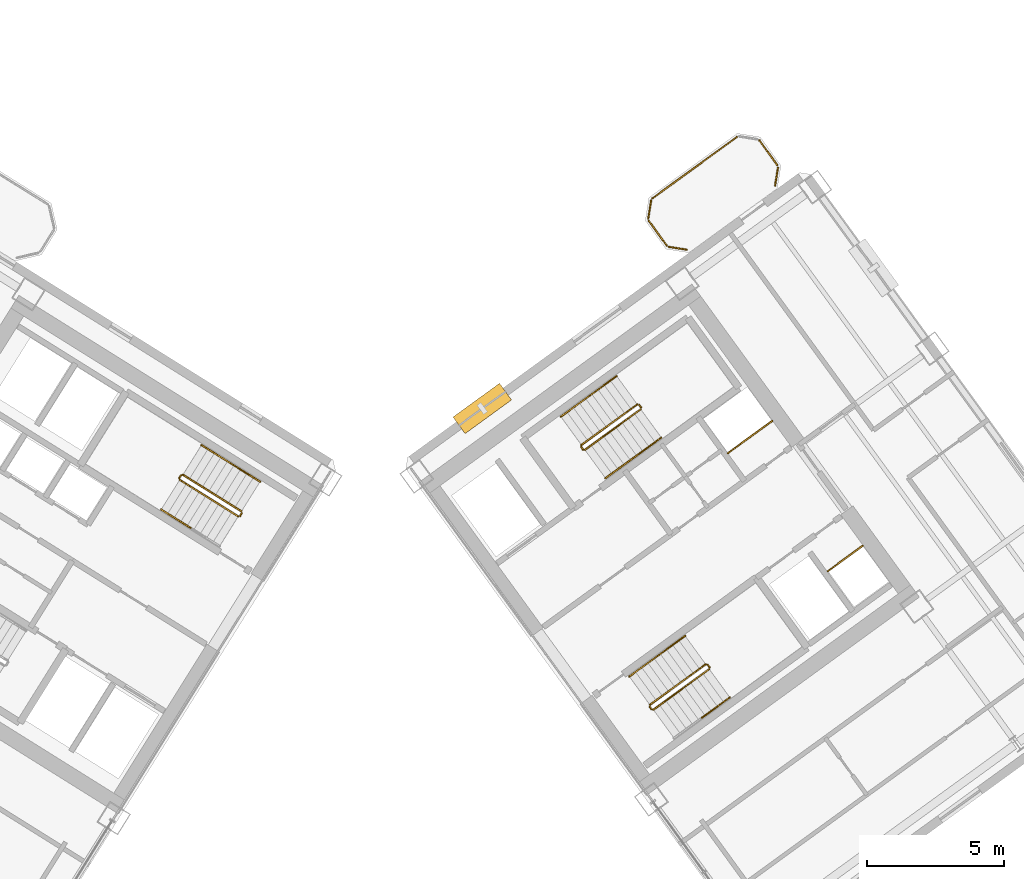
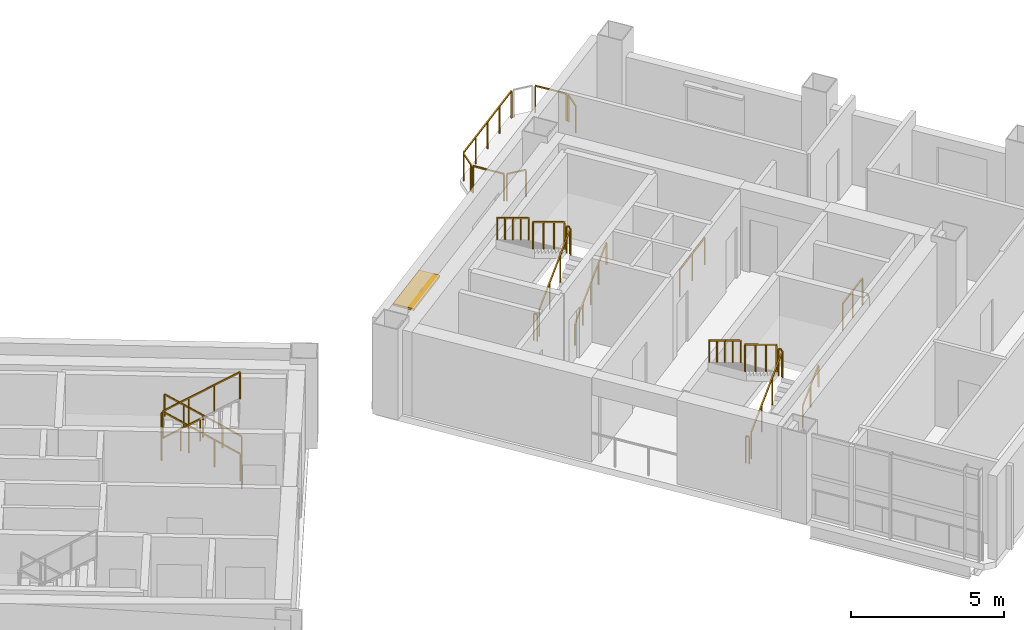
# One storey, part 18 of 19: 30 railings, 1 shading device.
"""IFC4 building model written with IfcOpenShell, lengths in metres."""

from ifc_helpers import new_model, si_unit, direction, frame, origin, origin_2d, place, context, subcontext, project, spatial, rectangle, extrude, source, transform, mapped, material, layer, layer_set, type_object, element, save


model = new_model("IFC4")

# Units and contexts
model_context = context("Model", 3, precision=1e-05, world=origin(), true_north=direction((0.0, 1.0)))
body_context = subcontext(model_context, "Body", "Model", "MODEL_VIEW")
ifc_project = project(units=[si_unit("LENGTHUNIT", "METRE"), si_unit("AREAUNIT", "SQUARE_METRE"), si_unit("VOLUMEUNIT", "CUBIC_METRE"), si_unit("PLANEANGLEUNIT", "RADIAN"), si_unit("MASSUNIT", "GRAM", prefix="KILO")], contexts=[model_context])

# Site, building, storey
site_placement = place(None, origin())
site = spatial("IfcSite", under=ifc_project, at=site_placement, CompositionType="ELEMENT")
building_placement = place(site_placement, origin())
building = spatial("IfcBuilding", under=site, at=building_placement, Name="Tlacorven Tower", CompositionType="ELEMENT")
storey_placement = place(building_placement, frame((0.0, 0.0, 147.89990234375)))
storey = spatial("IfcBuildingStorey", under=building, at=storey_placement, Name="L37", CompositionType="ELEMENT", Elevation=147.89990234375)

# Railings
ifc_material_1 = material(Name="Aluminium and painted steel balustrade", Category="steel")
railing_type_1 = type_object("IfcRailingType", Name="RL-GRD-1100", PredefinedType="GUARDRAIL", material=ifc_material_1)
shared_shape_1 = source(origin(), body_context, "Body", "SweptSolid", [
    extrude(rectangle(XDim=0.048095703125, YDim=0.048095703125, at=origin_2d()), frame((0.0, 0.0, 1.076171875), z_axis=(0.808947177504, 0.587881334972, 0.0), x_axis=(-0.587881334972, 0.808947177504, 0.0)), (0.0, 0.0, 1.0), 2.0),
    extrude(rectangle(XDim=0.0419921875, YDim=0.0419921875, at=origin_2d()), origin(), (0.0, 0.0, 1.0), 1.052001953125),
    extrude(rectangle(XDim=0.0419921875, YDim=0.0419921875, at=origin_2d()), frame((0.80908203125, 0.587890625, 0.0)), (0.0, 0.0, 1.0), 1.052001953125),
    extrude(rectangle(XDim=0.0419921875, YDim=0.0419921875, at=origin_2d()), frame((1.617919921875, 1.17578125, 0.0)), (0.0, 0.0, 1.0), 1.052001953125),
])
railing_1_placement = place(storey_placement, frame((55.506103515625, 25.438232421875, 0.0)))
element("IfcRailing", 1, at=railing_1_placement, inside=storey, type_object=railing_type_1, Name="L37 Electrical Riser E Shaft Guard 1", PredefinedType="GUARDRAIL", context=body_context, shape_type="MappedRepresentation", body=[
    mapped(shared_shape_1, transform((0.0, 0.0, 0.0), scale=1.0)),
])
shared_shape_2 = source(origin(), body_context, "Body", "SweptSolid", [
    extrude(rectangle(XDim=0.048095703125, YDim=0.048095703125, at=origin_2d()), frame((0.0, 0.0, 1.076171875), z_axis=(0.809029975545, 0.58776738483, 0.0), x_axis=(-0.58776738483, 0.809029975545, 0.0)), (0.0, 0.0, 1.0), 1.580078125),
    extrude(rectangle(XDim=0.0419921875, YDim=0.0419921875, at=origin_2d()), origin(), (0.0, 0.0, 1.0), 1.052001953125),
    extrude(rectangle(XDim=0.0419921875, YDim=0.0419921875, at=origin_2d()), frame((0.63916015625, 0.46435546875, 0.0)), (0.0, 0.0, 1.0), 1.052001953125),
    extrude(rectangle(XDim=0.0419921875, YDim=0.0419921875, at=origin_2d()), frame((1.2783203125, 0.9287109375, 0.0)), (0.0, 0.0, 1.0), 1.052001953125),
])
railing_2_placement = place(storey_placement, frame((59.160888671875, 21.122314453125, 0.0)))
element("IfcRailing", 2, at=railing_2_placement, inside=storey, type_object=railing_type_1, Name="L37 Smoke Riser E Shaft Guard 1", PredefinedType="GUARDRAIL", context=body_context, shape_type="MappedRepresentation", body=[
    mapped(shared_shape_2, transform((0.0, 0.0, 0.0), scale=1.0)),
])
railing_type_2 = type_object("IfcRailingType", Name="RL-BAL-1100", PredefinedType="BALUSTRADE", material=ifc_material_1)
shared_shape_3 = source(origin(), body_context, "Body", "SweptSolid", [
    extrude(rectangle(XDim=0.048095703125, YDim=0.048095703125, at=origin_2d()), frame((0.0, 0.0, 1.076171875), z_axis=(0.58788449985, -0.808944877501, 0.0), x_axis=(0.808944877501, 0.58788449985, 0.0)), (0.0, 0.0, 1.0), 1.112060546875),
    extrude(rectangle(XDim=0.0419921875, YDim=0.0419921875, at=origin_2d()), origin(), (0.0, 0.0, 1.0), 1.052001953125),
    extrude(rectangle(XDim=0.0419921875, YDim=0.0419921875, at=origin_2d()), frame((0.65380859375, -0.899658203125, 0.0)), (0.0, 0.0, 1.0), 1.052001953125),
])
railing_3_placement = place(storey_placement, frame((56.658447265625, 36.866943359375, 0.0)))
element("IfcRailing", 3, at=railing_3_placement, inside=storey, type_object=railing_type_2, Name="BAL-L37-E-IN Guard Railing 6", PredefinedType="BALUSTRADE", context=body_context, shape_type="MappedRepresentation", body=[
    mapped(shared_shape_3, transform((0.0, 0.0, 0.0), scale=1.0)),
])
shared_shape_4 = source(origin(), body_context, "Body", "SweptSolid", [
    extrude(rectangle(XDim=0.048095703125, YDim=0.048095703125, at=origin_2d()), frame((0.0, 0.0, 1.076171875), z_axis=(-0.987718317463, 0.156245081039, 0.0), x_axis=(-0.156245081039, -0.987718317463, 0.0)), (0.0, 0.0, 1.0), 0.66552734375),
    extrude(rectangle(XDim=0.0419921875, YDim=0.0419921875, at=origin_2d()), origin(), (0.0, 0.0, 1.0), 1.052001953125),
    extrude(rectangle(XDim=0.0419921875, YDim=0.0419921875, at=origin_2d()), frame((-0.657470703125, 0.10400390625, 0.0)), (0.0, 0.0, 1.0), 1.052001953125),
])
railing_4_placement = place(storey_placement, frame((54.00341796875, 32.8759765625, 0.0)))
element("IfcRailing", 4, at=railing_4_placement, inside=storey, type_object=railing_type_2, Name="BAL-L37-E-IN Guard Railing 1", PredefinedType="BALUSTRADE", context=body_context, shape_type="MappedRepresentation", body=[
    mapped(shared_shape_4, transform((0.0, 0.0, 0.0), scale=1.0)),
])
shared_shape_5 = source(origin(), body_context, "Body", "SweptSolid", [
    extrude(rectangle(XDim=0.048095703125, YDim=0.048095703125, at=origin_2d()), frame((0.0, 0.0, 1.076171875), z_axis=(-0.587740817519, 0.809049276263, 0.0), x_axis=(-0.809049276263, -0.587740817519, 0.0)), (0.0, 0.0, 1.0), 1.112060546875),
    extrude(rectangle(XDim=0.0419921875, YDim=0.0419921875, at=origin_2d()), origin(), (0.0, 0.0, 1.0), 1.052001953125),
    extrude(rectangle(XDim=0.0419921875, YDim=0.0419921875, at=origin_2d()), frame((-0.653564453125, 0.899658203125, 0.0)), (0.0, 0.0, 1.0), 1.052001953125),
])
railing_5_placement = place(storey_placement, frame((53.26708984375, 33.0283203125, 0.0)))
element("IfcRailing", 5, at=railing_5_placement, inside=storey, type_object=railing_type_2, Name="BAL-L37-E-IN Guard Railing 2", PredefinedType="BALUSTRADE", context=body_context, shape_type="MappedRepresentation", body=[
    mapped(shared_shape_5, transform((0.0, 0.0, 0.0), scale=1.0)),
])
shared_shape_6 = source(origin(), body_context, "Body", "SweptSolid", [
    extrude(rectangle(XDim=0.048095703125, YDim=0.048095703125, at=origin_2d()), frame((0.0, 0.0, 1.076171875), z_axis=(0.156546163506, 0.987670642822, 0.0), x_axis=(-0.987670642822, 0.156546163506, 0.0)), (0.0, 0.0, 1.0), 0.666015625),
    extrude(rectangle(XDim=0.0419921875, YDim=0.0419921875, at=origin_2d()), origin(), (0.0, 0.0, 1.0), 1.052001953125),
    extrude(rectangle(XDim=0.0419921875, YDim=0.0419921875, at=origin_2d()), frame((0.104248046875, 0.65771484375, 0.0)), (0.0, 0.0, 1.0), 1.052001953125),
])
railing_6_placement = place(storey_placement, frame((52.591796875, 34.017822265625, 0.0)))
element("IfcRailing", 6, at=railing_6_placement, inside=storey, type_object=railing_type_2, Name="BAL-L37-E-IN Guard Railing 3", PredefinedType="BALUSTRADE", context=body_context, shape_type="MappedRepresentation", body=[
    mapped(shared_shape_6, transform((0.0, 0.0, 0.0), scale=1.0)),
])
shared_shape_7 = source(origin(), body_context, "Body", "SweptSolid", [
    extrude(rectangle(XDim=0.048095703125, YDim=0.048095703125, at=origin_2d()), frame((0.0, 0.0, 1.076171875), z_axis=(0.809040198054, 0.587753313843, 0.0), x_axis=(-0.587753313843, 0.809040198054, 0.0)), (0.0, 0.0, 1.0), 3.8173828125),
    extrude(rectangle(XDim=0.0419921875, YDim=0.0419921875, at=origin_2d()), origin(), (0.0, 0.0, 1.0), 1.052001953125),
    extrude(rectangle(XDim=0.0419921875, YDim=0.0419921875, at=origin_2d()), frame((0.77197265625, 0.56103515625, 0.0)), (0.0, 0.0, 1.0), 1.052001953125),
    extrude(rectangle(XDim=0.0419921875, YDim=0.0419921875, at=origin_2d()), frame((1.544189453125, 1.121826171875, 0.0)), (0.0, 0.0, 1.0), 1.052001953125),
    extrude(rectangle(XDim=0.0419921875, YDim=0.0419921875, at=origin_2d()), frame((2.31640625, 1.6826171875, 0.0)), (0.0, 0.0, 1.0), 1.052001953125),
    extrude(rectangle(XDim=0.0419921875, YDim=0.0419921875, at=origin_2d()), frame((3.08837890625, 2.24365234375, 0.0)), (0.0, 0.0, 1.0), 1.052001953125),
])
railing_7_placement = place(storey_placement, frame((52.744140625, 34.754150390625, 0.0)))
element("IfcRailing", 7, at=railing_7_placement, inside=storey, type_object=railing_type_2, Name="BAL-L37-E-IN Guard Railing 4", PredefinedType="BALUSTRADE", context=body_context, shape_type="MappedRepresentation", body=[
    mapped(shared_shape_7, transform((0.0, 0.0, 0.0), scale=1.0)),
])
shared_shape_8 = source(origin(), body_context, "Body", "SweptSolid", [
    extrude(rectangle(XDim=0.048095703125, YDim=0.048095703125, at=origin_2d()), frame((0.0, 0.0, 1.076171875), z_axis=(-0.156245081039, -0.987718317463, 0.0), x_axis=(0.987718317463, -0.156245081039, 0.0)), (0.0, 0.0, 1.0), 0.66552734375),
    extrude(rectangle(XDim=0.0419921875, YDim=0.0419921875, at=origin_2d()), origin(), (0.0, 0.0, 1.0), 1.052001953125),
    extrude(rectangle(XDim=0.0419921875, YDim=0.0419921875, at=origin_2d()), frame((-0.10400390625, -0.657470703125, 0.0)), (0.0, 0.0, 1.0), 1.052001953125),
])
railing_8_placement = place(storey_placement, frame((57.333740234375, 35.87744140625, 0.0)))
element("IfcRailing", 8, at=railing_8_placement, inside=storey, type_object=railing_type_2, Name="BAL-L37-E-IN Guard Railing 7", PredefinedType="BALUSTRADE", context=body_context, shape_type="MappedRepresentation", body=[
    mapped(shared_shape_8, transform((0.0, 0.0, 0.0), scale=1.0)),
])

# Shading device
ifc_material_2 = material(Name="Anodised bronze aluminium sunshade", Category="aluminium")
ifc_layer = layer(ifc_material_2, 0.080078125)
ifc_layer_set = layer_set([ifc_layer], Name="Anodised bronze aluminium sunshade")
shading_device_type = type_object("IfcShadingDeviceType", Name="SH-SUN-BRZ", PredefinedType="AWNING", material=ifc_layer_set)
shared_shape_9 = source(origin(), body_context, "Body", "SweptSolid", [
    extrude(rectangle(XDim=2.10009765625, YDim=0.75, at=origin_2d()), origin(), (0.0, 0.0, 1.0), 0.080078125),
])
shading_device_placement = place(storey_placement, frame((46.521728515625, 27.06884765625, 2.3701171875), z_axis=(0.0, 0.0, 1.0), x_axis=(0.809017097486, 0.587785110372, 0.0)))
element("IfcShadingDevice", 9, at=shading_device_placement, inside=storey, type_object=shading_device_type, Name="L37 Solar Brise-Soleil Sunshade L37-04.1", PredefinedType="AWNING", context=body_context, shape_type="MappedRepresentation", body=[
    mapped(shared_shape_9, transform((0.0, 0.0, 0.0), scale=1.0)),
])

# Railings
shared_shape_10 = source(origin(), body_context, "Body", "SweptSolid", [
    extrude(rectangle(XDim=0.048095703125, YDim=0.048095703125, at=origin_2d()), frame((0.0, 0.0, 1.076171875), z_axis=(-0.530546985787, -0.847655529016, 0.0), x_axis=(0.847655529016, -0.530546985787, 0.0)), (0.0, 0.0, 1.0), 0.1201171875),
    extrude(rectangle(XDim=0.0419921875, YDim=0.0419921875, at=origin_2d()), origin(), (0.0, 0.0, 1.0), 1.052001953125),
    extrude(rectangle(XDim=0.0419921875, YDim=0.0419921875, at=origin_2d()), frame((-0.063720703125, -0.101806640625, 0.0)), (0.0, 0.0, 1.0), 1.052001953125),
])
railing_9_placement = place(storey_placement, frame((37.728271484375, 23.24072265625, 0.0)))
element("IfcRailing", 10, at=railing_9_placement, inside=storey, type_object=railing_type_1, Name="L37 ST-W2 stair guard 4", PredefinedType="GUARDRAIL", context=body_context, shape_type="MappedRepresentation", body=[
    mapped(shared_shape_10, transform((0.0, 0.0, 0.0), scale=1.0)),
])
railing_type_3 = type_object("IfcRailingType", Name="RL-HND-0900", PredefinedType="HANDRAIL", material=ifc_material_1)
shared_shape_11 = source(origin(), body_context, "Body", "SweptSolid", [
    extrude(rectangle(XDim=0.048095703125, YDim=0.048095703125, at=origin_2d()), frame((0.0, 0.0, 0.8759765625), z_axis=(-0.713359751793, 0.4457479829, 0.540764828981), x_axis=(-0.529911857636, -0.848052724267, 0.0)), (0.0, 0.0, 1.0), 1.498046875),
    extrude(rectangle(XDim=0.0419921875, YDim=0.0419921875, at=origin_2d()), origin(), (0.0, 0.0, 1.0), 0.851806640625),
    extrude(rectangle(XDim=0.0419921875, YDim=0.0419921875, at=origin_2d()), frame((-0.5341796875, 0.333984375, 0.405029296875)), (0.0, 0.0, 1.0), 0.851806640625),
    extrude(rectangle(XDim=0.0419921875, YDim=0.0419921875, at=origin_2d()), frame((-1.068603515625, 0.667724609375, 0.81005859375)), (0.0, 0.0, 1.0), 0.851806640625),
])
railing_10_placement = place(storey_placement, frame((37.322021484375, 25.062744140625, 0.989990234375)))
element("IfcRailing", 11, at=railing_10_placement, inside=storey, type_object=railing_type_3, Name="L37 ST-W2 stair handrail 2", PredefinedType="HANDRAIL", context=body_context, shape_type="MappedRepresentation", body=[
    mapped(shared_shape_11, transform((0.0, 0.0, 0.0), scale=1.0)),
])
shared_shape_12 = source(origin(), body_context, "Body", "SweptSolid", [
    extrude(rectangle(XDim=0.048095703125, YDim=0.048095703125, at=origin_2d()), frame((0.0, 0.0, 0.8759765625), z_axis=(0.713359751793, -0.4457479829, 0.540764828981), x_axis=(0.529911857636, 0.848052724267, 0.0)), (0.0, 0.0, 1.0), 1.498046875),
    extrude(rectangle(XDim=0.0419921875, YDim=0.0419921875, at=origin_2d()), origin(), (0.0, 0.0, 1.0), 0.851806640625),
    extrude(rectangle(XDim=0.0419921875, YDim=0.0419921875, at=origin_2d()), frame((0.5341796875, -0.333984375, 0.405029296875)), (0.0, 0.0, 1.0), 0.851806640625),
    extrude(rectangle(XDim=0.0419921875, YDim=0.0419921875, at=origin_2d()), frame((1.068603515625, -0.667724609375, 0.81005859375)), (0.0, 0.0, 1.0), 0.851806640625),
])
railing_11_placement = place(storey_placement, frame((34.7802734375, 23.372802734375, 1.97998046875)))
element("IfcRailing", 12, at=railing_11_placement, inside=storey, type_object=railing_type_3, Name="L37 ST-W2 stair handrail 3", PredefinedType="HANDRAIL", context=body_context, shape_type="MappedRepresentation", body=[
    mapped(shared_shape_12, transform((0.0, 0.0, 0.0), scale=1.0)),
])
shared_shape_13 = source(origin(), body_context, "Body", "SweptSolid", [
    extrude(rectangle(XDim=0.048095703125, YDim=0.048095703125, at=origin_2d()), frame((0.0, 0.0, 1.076171875), z_axis=(-0.713351164325, 0.445793541512, 0.540738601085), x_axis=(-0.529955395941, -0.84802551749, 0.0)), (0.0, 0.0, 1.0), 2.99560546875),
    extrude(rectangle(XDim=0.0419921875, YDim=0.0419921875, at=origin_2d()), origin(), (0.0, 0.0, 1.0), 1.052001953125),
    extrude(rectangle(XDim=0.0419921875, YDim=0.0419921875, at=origin_2d()), frame((-0.71240234375, 0.445068359375, 0.5400390625)), (0.0, 0.0, 1.0), 1.052001953125),
    extrude(rectangle(XDim=0.0419921875, YDim=0.0419921875, at=origin_2d()), frame((-1.424560546875, 0.890380859375, 1.079833984375)), (0.0, 0.0, 1.0), 1.052001953125),
    extrude(rectangle(XDim=0.0419921875, YDim=0.0419921875, at=origin_2d()), frame((-2.136962890625, 1.33544921875, 1.619873046875)), (0.0, 0.0, 1.0), 1.052001953125),
])
railing_12_placement = place(storey_placement, frame((37.712158203125, 23.3095703125, 0.18017578125)))
element("IfcRailing", 13, at=railing_12_placement, inside=storey, type_object=railing_type_1, Name="L37 ST-W2 stair guard 1", PredefinedType="GUARDRAIL", context=body_context, shape_type="MappedRepresentation", body=[
    mapped(shared_shape_13, transform((0.0, 0.0, 0.0), scale=1.0)),
])
shared_shape_14 = source(origin(), body_context, "Body", "SweptSolid", [
    extrude(rectangle(XDim=0.048095703125, YDim=0.048095703125, at=origin_2d()), frame((0.0, 0.0, 0.8759765625), z_axis=(-0.713422621445, 0.445787267455, 0.540649494022), x_axis=(-0.529911857636, -0.848052724267, 0.0)), (0.0, 0.0, 1.0), 1.497802734375),
    extrude(rectangle(XDim=0.0419921875, YDim=0.0419921875, at=origin_2d()), origin(), (0.0, 0.0, 1.0), 0.851806640625),
    extrude(rectangle(XDim=0.0419921875, YDim=0.0419921875, at=origin_2d()), frame((-0.5341796875, 0.333984375, 0.40478515625)), (0.0, 0.0, 1.0), 0.851806640625),
    extrude(rectangle(XDim=0.0419921875, YDim=0.0419921875, at=origin_2d()), frame((-1.068603515625, 0.667724609375, 0.809814453125)), (0.0, 0.0, 1.0), 0.851806640625),
])
railing_13_placement = place(storey_placement, frame((38.390625, 24.39501953125, 0.18017578125)))
element("IfcRailing", 14, at=railing_13_placement, inside=storey, type_object=railing_type_3, Name="L37 ST-W2 stair handrail 1", PredefinedType="HANDRAIL", context=body_context, shape_type="MappedRepresentation", body=[
    mapped(shared_shape_14, transform((0.0, 0.0, 0.0), scale=1.0)),
])
shared_shape_15 = source(origin(), body_context, "Body", "SweptSolid", [
    extrude(rectangle(XDim=0.048095703125, YDim=0.048095703125, at=origin_2d()), frame((0.0, 0.0, 1.076171875), z_axis=(-0.531462422766, -0.847081869236, 0.0), x_axis=(0.847081869236, -0.531462422766, 0.0)), (0.0, 0.0, 1.0), 0.119873046875),
    extrude(rectangle(XDim=0.0419921875, YDim=0.0419921875, at=origin_2d()), origin(), (0.0, 0.0, 1.0), 1.052001953125),
    extrude(rectangle(XDim=0.0419921875, YDim=0.0419921875, at=origin_2d()), frame((-0.063720703125, -0.1015625, 0.0)), (0.0, 0.0, 1.0), 1.052001953125),
])
railing_14_placement = place(storey_placement, frame((35.50634765625, 24.62890625, 1.800048828125)))
element("IfcRailing", 15, at=railing_14_placement, inside=storey, type_object=railing_type_1, Name="L37 ST-W2 stair guard 2", PredefinedType="GUARDRAIL", context=body_context, shape_type="MappedRepresentation", body=[
    mapped(shared_shape_15, transform((0.0, 0.0, 0.0), scale=1.0)),
])
shared_shape_16 = source(origin(), body_context, "Body", "SweptSolid", [
    extrude(rectangle(XDim=0.048095703125, YDim=0.048095703125, at=origin_2d()), frame((0.0, 0.0, 1.076171875), z_axis=(0.713385662783, -0.445682681033, 0.540784470897), x_axis=(0.52984217967, 0.848096259066, 0.0)), (0.0, 0.0, 1.0), 2.995849609375),
    extrude(rectangle(XDim=0.0419921875, YDim=0.0419921875, at=origin_2d()), origin(), (0.0, 0.0, 1.0), 1.052001953125),
    extrude(rectangle(XDim=0.0419921875, YDim=0.0419921875, at=origin_2d()), frame((0.71240234375, -0.445068359375, 0.5400390625)), (0.0, 0.0, 1.0), 1.052001953125),
    extrude(rectangle(XDim=0.0419921875, YDim=0.0419921875, at=origin_2d()), frame((1.4248046875, -0.89013671875, 1.080078125)), (0.0, 0.0, 1.0), 1.052001953125),
    extrude(rectangle(XDim=0.0419921875, YDim=0.0419921875, at=origin_2d()), frame((2.13720703125, -1.335205078125, 1.6201171875)), (0.0, 0.0, 1.0), 1.052001953125),
])
railing_15_placement = place(storey_placement, frame((35.45849609375, 24.458251953125, 1.97998046875)))
element("IfcRailing", 16, at=railing_15_placement, inside=storey, type_object=railing_type_1, Name="L37 ST-W2 stair guard 3", PredefinedType="GUARDRAIL", context=body_context, shape_type="MappedRepresentation", body=[
    mapped(shared_shape_16, transform((0.0, 0.0, 0.0), scale=1.0)),
])
shared_shape_17 = source(origin(), body_context, "Body", "SweptSolid", [
    extrude(rectangle(XDim=0.048095703125, YDim=0.048095703125, at=origin_2d()), frame((0.0, 0.0, 1.076171875), z_axis=(-0.587567097037, 0.809175448515, 0.0), x_axis=(-0.809175448515, -0.587567097037, 0.0)), (0.0, 0.0, 1.0), 0.1201171875),
    extrude(rectangle(XDim=0.0419921875, YDim=0.0419921875, at=origin_2d()), origin(), (0.0, 0.0, 1.0), 1.052001953125),
    extrude(rectangle(XDim=0.0419921875, YDim=0.0419921875, at=origin_2d()), frame((-0.070556640625, 0.09716796875, 0.0)), (0.0, 0.0, 1.0), 1.052001953125),
])
for number, where, name in (
    (17, (54.8310546875, 17.605712890625, 1.800048828125), "L37 ST-E2 stair guard 2"),
    (18, (52.71142578125, 16.065673828125, 0.0), "L37 ST-E2 stair guard 4"),
):
    element("IfcRailing", number, at=place(storey_placement, frame(where)), inside=storey, type_object=railing_type_1, Name=name, PredefinedType="GUARDRAIL", context=body_context, shape_type="MappedRepresentation", body=[
        mapped(shared_shape_17, transform((0.0, 0.0, 0.0), scale=1.0)),
    ])
shared_shape_18 = source(origin(), body_context, "Body", "SweptSolid", [
    extrude(rectangle(XDim=0.048095703125, YDim=0.048095703125, at=origin_2d()), frame((0.0, 0.0, 1.076171875), z_axis=(-0.587201422542, 0.809440849824, 0.0), x_axis=(-0.809440849824, -0.587201422542, 0.0)), (0.0, 0.0, 1.0), 0.11962890625),
    extrude(rectangle(XDim=0.0419921875, YDim=0.0419921875, at=origin_2d()), origin(), (0.0, 0.0, 1.0), 1.052001953125),
    extrude(rectangle(XDim=0.0419921875, YDim=0.0419921875, at=origin_2d()), frame((-0.0703125, 0.096923828125, 0.0)), (0.0, 0.0, 1.0), 1.052001953125),
])
for number, where, name in (
    (19, (52.326904296875, 27.10888671875, 1.800048828125), "L37 ST-E1 stair guard 2"),
    (20, (50.207275390625, 25.56884765625, 0.0), "L37 ST-E1 stair guard 4"),
):
    element("IfcRailing", number, at=place(storey_placement, frame(where)), inside=storey, type_object=railing_type_1, Name=name, PredefinedType="GUARDRAIL", context=body_context, shape_type="MappedRepresentation", body=[
        mapped(shared_shape_18, transform((0.0, 0.0, 0.0), scale=1.0)),
    ])
shared_shape_19 = source(origin(), body_context, "Body", "SweptSolid", [
    extrude(rectangle(XDim=0.048095703125, YDim=0.048095703125, at=origin_2d()), frame((0.0, 0.0, 1.076171875), z_axis=(-0.680488636597, -0.494434078831, 0.540805100894), x_axis=(0.5878087079, -0.808999952359, 0.0)), (0.0, 0.0, 1.0), 2.995849609375),
    extrude(rectangle(XDim=0.0419921875, YDim=0.0419921875, at=origin_2d()), origin(), (0.0, 0.0, 1.0), 1.052001953125),
    extrude(rectangle(XDim=0.0419921875, YDim=0.0419921875, at=origin_2d()), frame((-0.679443359375, -0.49365234375, 0.5400390625)), (0.0, 0.0, 1.0), 1.052001953125),
    extrude(rectangle(XDim=0.0419921875, YDim=0.0419921875, at=origin_2d()), frame((-1.359130859375, -0.987548828125, 1.080078125)), (0.0, 0.0, 1.0), 1.052001953125),
    extrude(rectangle(XDim=0.0419921875, YDim=0.0419921875, at=origin_2d()), frame((-2.03857421875, -1.481201171875, 1.6201171875)), (0.0, 0.0, 1.0), 1.052001953125),
])
railing_16_placement = place(storey_placement, frame((52.1865234375, 27.217041015625, 1.97998046875)))
element("IfcRailing", 21, at=railing_16_placement, inside=storey, type_object=railing_type_1, Name="L37 ST-E1 stair guard 3", PredefinedType="GUARDRAIL", context=body_context, shape_type="MappedRepresentation", body=[
    mapped(shared_shape_19, transform((0.0, 0.0, 0.0), scale=1.0)),
])
shared_shape_20 = source(origin(), body_context, "Body", "SweptSolid", [
    extrude(rectangle(XDim=0.048095703125, YDim=0.048095703125, at=origin_2d()), frame((0.0, 0.0, 0.8759765625), z_axis=(0.680516055757, 0.494372502302, 0.540826891737), x_axis=(-0.587745292299, 0.809046025502, 0.0)), (0.0, 0.0, 1.0), 1.497802734375),
    extrude(rectangle(XDim=0.0419921875, YDim=0.0419921875, at=origin_2d()), origin(), (0.0, 0.0, 1.0), 0.851806640625),
    extrude(rectangle(XDim=0.0419921875, YDim=0.0419921875, at=origin_2d()), frame((0.509765625, 0.3701171875, 0.405029296875)), (0.0, 0.0, 1.0), 0.851806640625),
    extrude(rectangle(XDim=0.0419921875, YDim=0.0419921875, at=origin_2d()), frame((1.019287109375, 0.740478515625, 0.81005859375)), (0.0, 0.0, 1.0), 0.851806640625),
])
railing_17_placement = place(storey_placement, frame((54.552978515625, 15.759765625, 0.989990234375)))
element("IfcRailing", 22, at=railing_17_placement, inside=storey, type_object=railing_type_3, Name="L37 ST-E2 stair handrail 2", PredefinedType="HANDRAIL", context=body_context, shape_type="MappedRepresentation", body=[
    mapped(shared_shape_20, transform((0.0, 0.0, 0.0), scale=1.0)),
])
shared_shape_21 = source(origin(), body_context, "Body", "SweptSolid", [
    extrude(rectangle(XDim=0.048095703125, YDim=0.048095703125, at=origin_2d()), frame((0.0, 0.0, 0.8759765625), z_axis=(0.680548719995, 0.49444080854, 0.540723336433), x_axis=(-0.587779977844, 0.80902082646, 0.0)), (0.0, 0.0, 1.0), 1.498046875),
    extrude(rectangle(XDim=0.0419921875, YDim=0.0419921875, at=origin_2d()), origin(), (0.0, 0.0, 1.0), 0.851806640625),
    extrude(rectangle(XDim=0.0419921875, YDim=0.0419921875, at=origin_2d()), frame((0.509765625, 0.370361328125, 0.405029296875)), (0.0, 0.0, 1.0), 0.851806640625),
    extrude(rectangle(XDim=0.0419921875, YDim=0.0419921875, at=origin_2d()), frame((1.01953125, 0.74072265625, 0.81005859375)), (0.0, 0.0, 1.0), 0.851806640625),
])
railing_18_placement = place(storey_placement, frame((52.048828125, 25.2626953125, 0.989990234375)))
element("IfcRailing", 23, at=railing_18_placement, inside=storey, type_object=railing_type_3, Name="L37 ST-E1 stair handrail 2", PredefinedType="HANDRAIL", context=body_context, shape_type="MappedRepresentation", body=[
    mapped(shared_shape_21, transform((0.0, 0.0, 0.0), scale=1.0)),
])
shared_shape_22 = source(origin(), body_context, "Body", "SweptSolid", [
    extrude(rectangle(XDim=0.048095703125, YDim=0.048095703125, at=origin_2d()), frame((0.0, 0.0, 0.8759765625), z_axis=(-0.680603554404, -0.494317667746, 0.540766904577), x_axis=(0.587653156371, -0.809112951205, 0.0)), (0.0, 0.0, 1.0), 1.498046875),
    extrude(rectangle(XDim=0.0419921875, YDim=0.0419921875, at=origin_2d()), origin(), (0.0, 0.0, 1.0), 0.851806640625),
    extrude(rectangle(XDim=0.0419921875, YDim=0.0419921875, at=origin_2d()), frame((-0.509765625, -0.3701171875, 0.405029296875)), (0.0, 0.0, 1.0), 0.851806640625),
    extrude(rectangle(XDim=0.0419921875, YDim=0.0419921875, at=origin_2d()), frame((-1.01953125, -0.740478515625, 0.81005859375)), (0.0, 0.0, 1.0), 0.851806640625),
])
railing_19_placement = place(storey_placement, frame((51.434326171875, 28.25244140625, 1.97998046875)))
element("IfcRailing", 24, at=railing_19_placement, inside=storey, type_object=railing_type_3, Name="L37 ST-E1 stair handrail 3", PredefinedType="HANDRAIL", context=body_context, shape_type="MappedRepresentation", body=[
    mapped(shared_shape_22, transform((0.0, 0.0, 0.0), scale=1.0)),
])
shared_shape_23 = source(origin(), body_context, "Body", "SweptSolid", [
    extrude(rectangle(XDim=0.048095703125, YDim=0.048095703125, at=origin_2d()), frame((0.0, 0.0, 0.8759765625), z_axis=(-0.680461216233, -0.494495647917, 0.540783309093), x_axis=(0.587872112667, -0.808953879494, 0.0)), (0.0, 0.0, 1.0), 1.498046875),
    extrude(rectangle(XDim=0.0419921875, YDim=0.0419921875, at=origin_2d()), origin(), (0.0, 0.0, 1.0), 0.851806640625),
    extrude(rectangle(XDim=0.0419921875, YDim=0.0419921875, at=origin_2d()), frame((-0.509765625, -0.370361328125, 0.405029296875)), (0.0, 0.0, 1.0), 0.851806640625),
    extrude(rectangle(XDim=0.0419921875, YDim=0.0419921875, at=origin_2d()), frame((-1.019287109375, -0.74072265625, 0.81005859375)), (0.0, 0.0, 1.0), 0.851806640625),
])
for number, where, name in (
    (25, (50.414794921875, 27.511962890625, 2.7900390625), "L37 ST-E1 stair handrail 4"),
    (26, (52.9189453125, 18.0087890625, 2.7900390625), "L37 ST-E2 stair handrail 4"),
):
    element("IfcRailing", number, at=place(storey_placement, frame(where)), inside=storey, type_object=railing_type_3, Name=name, PredefinedType="HANDRAIL", context=body_context, shape_type="MappedRepresentation", body=[
        mapped(shared_shape_23, transform((0.0, 0.0, 0.0), scale=1.0)),
    ])
shared_shape_24 = source(origin(), body_context, "Body", "SweptSolid", [
    extrude(rectangle(XDim=0.048095703125, YDim=0.048095703125, at=origin_2d()), frame((0.0, 0.0, 1.076171875), z_axis=(0.680518627673, 0.494455869951, 0.540747436481), x_axis=(-0.5878087079, 0.808999952359, 0.0)), (0.0, 0.0, 1.0), 2.99560546875),
    extrude(rectangle(XDim=0.0419921875, YDim=0.0419921875, at=origin_2d()), origin(), (0.0, 0.0, 1.0), 1.052001953125),
    extrude(rectangle(XDim=0.0419921875, YDim=0.0419921875, at=origin_2d()), frame((0.679443359375, 0.49365234375, 0.5400390625)), (0.0, 0.0, 1.0), 1.052001953125),
    extrude(rectangle(XDim=0.0419921875, YDim=0.0419921875, at=origin_2d()), frame((1.359130859375, 0.987548828125, 1.079833984375)), (0.0, 0.0, 1.0), 1.052001953125),
    extrude(rectangle(XDim=0.0419921875, YDim=0.0419921875, at=origin_2d()), frame((2.03857421875, 1.481201171875, 1.619873046875)), (0.0, 0.0, 1.0), 1.052001953125),
])
railing_20_placement = place(storey_placement, frame((50.27734375, 25.557861328125, 0.18017578125)))
element("IfcRailing", 27, at=railing_20_placement, inside=storey, type_object=railing_type_1, Name="L37 ST-E1 stair guard 1", PredefinedType="GUARDRAIL", context=body_context, shape_type="MappedRepresentation", body=[
    mapped(shared_shape_24, transform((0.0, 0.0, 0.0), scale=1.0)),
])
shared_shape_25 = source(origin(), body_context, "Body", "SweptSolid", [
    extrude(rectangle(XDim=0.048095703125, YDim=0.048095703125, at=origin_2d()), frame((0.0, 0.0, 0.8759765625), z_axis=(0.680576044605, 0.494416082224, 0.54071155448), x_axis=(-0.587745292299, 0.809046025502, 0.0)), (0.0, 0.0, 1.0), 1.497802734375),
    extrude(rectangle(XDim=0.0419921875, YDim=0.0419921875, at=origin_2d()), origin(), (0.0, 0.0, 1.0), 0.851806640625),
    extrude(rectangle(XDim=0.0419921875, YDim=0.0419921875, at=origin_2d()), frame((0.509765625, 0.3701171875, 0.40478515625)), (0.0, 0.0, 1.0), 0.851806640625),
    extrude(rectangle(XDim=0.0419921875, YDim=0.0419921875, at=origin_2d()), frame((1.019287109375, 0.740478515625, 0.809814453125)), (0.0, 0.0, 1.0), 0.851806640625),
])
railing_21_placement = place(storey_placement, frame((51.029541015625, 24.522216796875, 0.18017578125)))
element("IfcRailing", 28, at=railing_21_placement, inside=storey, type_object=railing_type_3, Name="L37 ST-E1 stair handrail 1", PredefinedType="HANDRAIL", context=body_context, shape_type="MappedRepresentation", body=[
    mapped(shared_shape_25, transform((0.0, 0.0, 0.0), scale=1.0)),
])
shared_shape_26 = source(origin(), body_context, "Body", "SweptSolid", [
    extrude(rectangle(XDim=0.048095703125, YDim=0.048095703125, at=origin_2d()), frame((0.0, 0.0, 1.076171875), z_axis=(-0.680532390839, -0.494406659708, 0.54077511024), x_axis=(0.587762637553, -0.809033424462, 0.0)), (0.0, 0.0, 1.0), 2.995849609375),
    extrude(rectangle(XDim=0.0419921875, YDim=0.0419921875, at=origin_2d()), origin(), (0.0, 0.0, 1.0), 1.052001953125),
    extrude(rectangle(XDim=0.0419921875, YDim=0.0419921875, at=origin_2d()), frame((-0.6796875, -0.49365234375, 0.5400390625)), (0.0, 0.0, 1.0), 1.052001953125),
    extrude(rectangle(XDim=0.0419921875, YDim=0.0419921875, at=origin_2d()), frame((-1.359130859375, -0.987548828125, 1.080078125)), (0.0, 0.0, 1.0), 1.052001953125),
    extrude(rectangle(XDim=0.0419921875, YDim=0.0419921875, at=origin_2d()), frame((-2.038818359375, -1.481201171875, 1.6201171875)), (0.0, 0.0, 1.0), 1.052001953125),
])
railing_22_placement = place(storey_placement, frame((54.690673828125, 17.7138671875, 1.97998046875)))
element("IfcRailing", 29, at=railing_22_placement, inside=storey, type_object=railing_type_1, Name="L37 ST-E2 stair guard 3", PredefinedType="GUARDRAIL", context=body_context, shape_type="MappedRepresentation", body=[
    mapped(shared_shape_26, transform((0.0, 0.0, 0.0), scale=1.0)),
])
shared_shape_27 = source(origin(), body_context, "Body", "SweptSolid", [
    extrude(rectangle(XDim=0.048095703125, YDim=0.048095703125, at=origin_2d()), frame((0.0, 0.0, 0.8759765625), z_axis=(-0.680516055757, -0.494372502302, 0.540826891737), x_axis=(0.587745292299, -0.809046025502, 0.0)), (0.0, 0.0, 1.0), 1.497802734375),
    extrude(rectangle(XDim=0.0419921875, YDim=0.0419921875, at=origin_2d()), origin(), (0.0, 0.0, 1.0), 0.851806640625),
    extrude(rectangle(XDim=0.0419921875, YDim=0.0419921875, at=origin_2d()), frame((-0.509765625, -0.3701171875, 0.405029296875)), (0.0, 0.0, 1.0), 0.851806640625),
    extrude(rectangle(XDim=0.0419921875, YDim=0.0419921875, at=origin_2d()), frame((-1.019287109375, -0.740478515625, 0.81005859375)), (0.0, 0.0, 1.0), 0.851806640625),
])
railing_23_placement = place(storey_placement, frame((53.938232421875, 18.749267578125, 1.97998046875)))
element("IfcRailing", 30, at=railing_23_placement, inside=storey, type_object=railing_type_3, Name="L37 ST-E2 stair handrail 3", PredefinedType="HANDRAIL", context=body_context, shape_type="MappedRepresentation", body=[
    mapped(shared_shape_27, transform((0.0, 0.0, 0.0), scale=1.0)),
])
shared_shape_28 = source(origin(), body_context, "Body", "SweptSolid", [
    extrude(rectangle(XDim=0.048095703125, YDim=0.048095703125, at=origin_2d()), frame((0.0, 0.0, 1.076171875), z_axis=(0.680562380517, 0.494428447203, 0.540717446381), x_axis=(-0.587762637553, 0.809033424462, 0.0)), (0.0, 0.0, 1.0), 2.995849609375),
    extrude(rectangle(XDim=0.0419921875, YDim=0.0419921875, at=origin_2d()), origin(), (0.0, 0.0, 1.0), 1.052001953125),
    extrude(rectangle(XDim=0.0419921875, YDim=0.0419921875, at=origin_2d()), frame((0.6796875, 0.49365234375, 0.5400390625)), (0.0, 0.0, 1.0), 1.052001953125),
    extrude(rectangle(XDim=0.0419921875, YDim=0.0419921875, at=origin_2d()), frame((1.359130859375, 0.987548828125, 1.079833984375)), (0.0, 0.0, 1.0), 1.052001953125),
    extrude(rectangle(XDim=0.0419921875, YDim=0.0419921875, at=origin_2d()), frame((2.038818359375, 1.481201171875, 1.619873046875)), (0.0, 0.0, 1.0), 1.052001953125),
])
railing_24_placement = place(storey_placement, frame((52.78125, 16.0546875, 0.18017578125)))
element("IfcRailing", 31, at=railing_24_placement, inside=storey, type_object=railing_type_1, Name="L37 ST-E2 stair guard 1", PredefinedType="GUARDRAIL", context=body_context, shape_type="MappedRepresentation", body=[
    mapped(shared_shape_28, transform((0.0, 0.0, 0.0), scale=1.0)),
])

save(model, "model.ifc")
